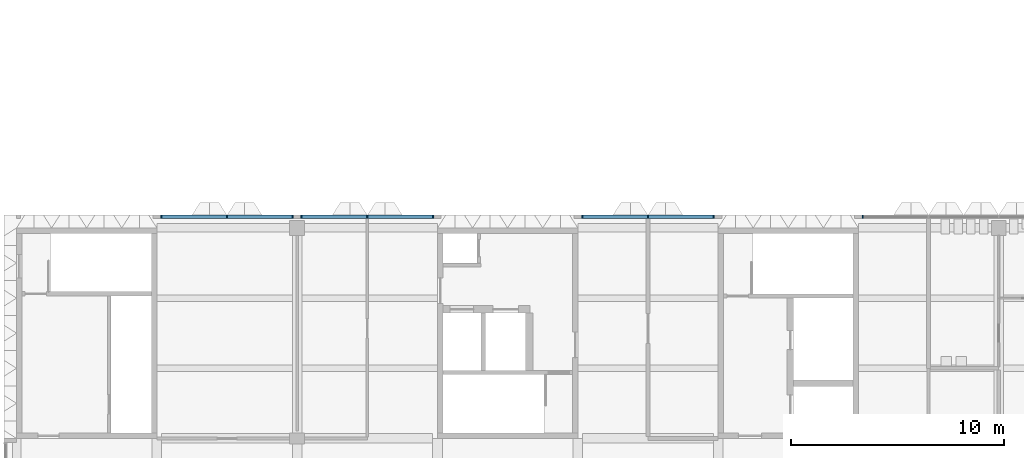
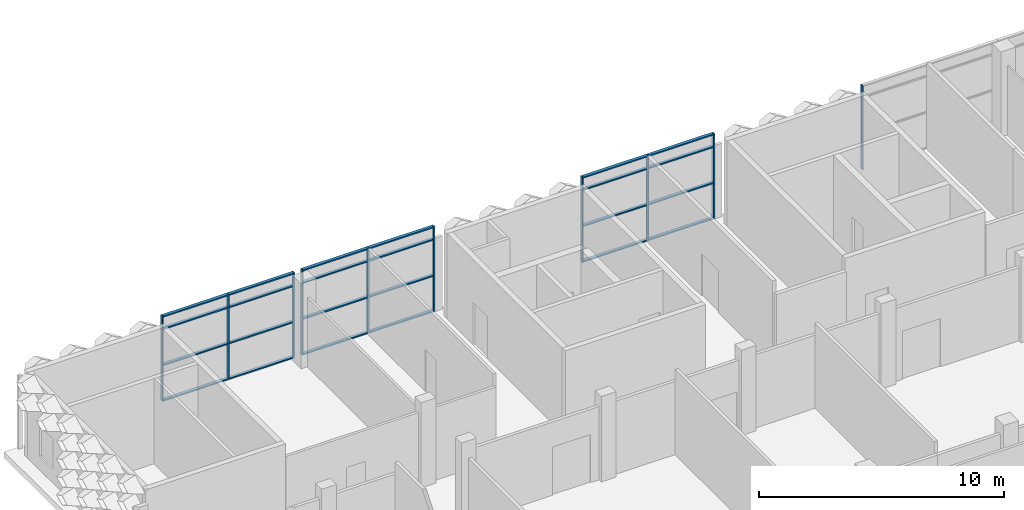
# One storey, part 9 of 61: 34 members, 4 elements without a shape of their own.
"""IFC4 building model written with IfcOpenShell, lengths in metres."""

from ifc_helpers import new_model, si_unit, direction, frame, origin, origin_2d, place, context, subcontext, project, spatial, rectangle, extrude, material, material_profile, profile_set, type_object, element, aggregate, save


model = new_model("IFC4")

# Units and contexts
model_context = context("Model", 3, precision=1e-05, world=origin(), true_north=direction((0.0, 1.0)))
body_context = subcontext(model_context, "Body", "Model", "MODEL_VIEW")
ifc_project = project(units=[si_unit("LENGTHUNIT", "METRE"), si_unit("AREAUNIT", "SQUARE_METRE"), si_unit("VOLUMEUNIT", "CUBIC_METRE"), si_unit("PLANEANGLEUNIT", "RADIAN"), si_unit("MASSUNIT", "GRAM", prefix="KILO")], contexts=[model_context])

# Site, building, storey
site_placement = place(None, origin())
site = spatial("IfcSite", under=ifc_project, at=site_placement, CompositionType="ELEMENT")
building_placement = place(site_placement, origin())
building = spatial("IfcBuilding", under=site, at=building_placement, Name="Lantern Court Research Institute", CompositionType="ELEMENT")
storey_placement = place(building_placement, frame((0.0, 0.0, 23.39990234375)))
storey = spatial("IfcBuildingStorey", under=building, at=storey_placement, Name="L05", CompositionType="ELEMENT", Elevation=23.39990234375)

# Curtain wall, members
ifc_material_1 = material(Name="Aluminium alloy 6063-T6", Category="aluminium")
curtain_wall_type_1 = type_object("IfcCurtainWallType", Name="Curtain wall 6250 x 4250 x 150 aluminium frame", PredefinedType="NOTDEFINED", material=ifc_material_1)
curtain_wall_1_placement = place(storey_placement, origin())
curtain_wall_1 = element("IfcCurtainWall", 1, at=curtain_wall_1_placement, inside=storey, type_object=curtain_wall_type_1, Name="Curtain wall CW068", PredefinedType="NOTDEFINED")
ifc_material_2 = material(Name="Aluminium alloy 6063-T6", Category="aluminium")
ifc_material_profile_1 = material_profile(ifc_material_2, rectangle(XDim=0.14990234375, YDim=0.06005859375, at=origin_2d()), Name="Mullion 150 x 60")
ifc_profile_set_1 = profile_set([ifc_material_profile_1], Name="Aluminium alloy 6063-T6")
member_type_1 = type_object("IfcMemberType", Name="Mullion 150 x 60 aluminium", PredefinedType="MULLION", material=ifc_profile_set_1)
member_1_placement = place(storey_placement, frame((6.804931640625, 23.625, 0.0), z_axis=(0.0, 0.0, 1.0), x_axis=(0.0, 1.0, 0.0)))
member_1 = element("IfcMember", 2, at=member_1_placement, type_object=member_type_1, Name="CW068 mullion 1", PredefinedType="MULLION", context=body_context, shape_type="SweptSolid", body=[
    extrude(rectangle(XDim=0.14990234375, YDim=0.06005859375, at=origin_2d()), origin(), (0.0, 0.0, 1.0), 4.25),
])
member_2_placement = place(storey_placement, frame((9.89990234375, 23.625, 0.0), z_axis=(0.0, 0.0, 1.0), x_axis=(0.0, 1.0, 0.0)))
member_2 = element("IfcMember", 3, at=member_2_placement, type_object=member_type_1, Name="CW068 mullion 2", PredefinedType="MULLION", context=body_context, shape_type="SweptSolid", body=[
    extrude(rectangle(XDim=0.14990234375, YDim=0.06005859375, at=origin_2d()), origin(), (0.0, 0.0, 1.0), 4.25),
])
member_3_placement = place(storey_placement, frame((12.9951171875, 23.625, 0.0), z_axis=(0.0, 0.0, 1.0), x_axis=(0.0, 1.0, 0.0)))
member_3 = element("IfcMember", 4, at=member_3_placement, type_object=member_type_1, Name="CW068 mullion 3", PredefinedType="MULLION", context=body_context, shape_type="SweptSolid", body=[
    extrude(rectangle(XDim=0.14990234375, YDim=0.06005859375, at=origin_2d()), origin(), (0.0, 0.0, 1.0), 4.25),
])

curtain_wall_2_placement = place(storey_placement, origin())
curtain_wall_2 = element("IfcCurtainWall", 5, at=curtain_wall_2_placement, inside=storey, type_object=curtain_wall_type_1, Name="Curtain wall CW069", PredefinedType="NOTDEFINED")
member_4_placement = place(storey_placement, frame((13.405029296875, 23.625, 0.0), z_axis=(0.0, 0.0, 1.0), x_axis=(0.0, 1.0, 0.0)))
member_4 = element("IfcMember", 6, at=member_4_placement, type_object=member_type_1, Name="CW069 mullion 1", PredefinedType="MULLION", context=body_context, shape_type="SweptSolid", body=[
    extrude(rectangle(XDim=0.14990234375, YDim=0.06005859375, at=origin_2d()), origin(), (0.0, 0.0, 1.0), 4.25),
])
member_5_placement = place(storey_placement, frame((16.5, 23.625, 0.0), z_axis=(0.0, 0.0, 1.0), x_axis=(0.0, 1.0, 0.0)))
member_5 = element("IfcMember", 7, at=member_5_placement, type_object=member_type_1, Name="CW069 mullion 2", PredefinedType="MULLION", context=body_context, shape_type="SweptSolid", body=[
    extrude(rectangle(XDim=0.14990234375, YDim=0.06005859375, at=origin_2d()), origin(), (0.0, 0.0, 1.0), 4.25),
])
member_6_placement = place(storey_placement, frame((19.594970703125, 23.625, 0.0), z_axis=(0.0, 0.0, 1.0), x_axis=(0.0, 1.0, 0.0)))
member_6 = element("IfcMember", 8, at=member_6_placement, type_object=member_type_1, Name="CW069 mullion 3", PredefinedType="MULLION", context=body_context, shape_type="SweptSolid", body=[
    extrude(rectangle(XDim=0.14990234375, YDim=0.06005859375, at=origin_2d()), origin(), (0.0, 0.0, 1.0), 4.25),
])

curtain_wall_3_placement = place(storey_placement, origin())
curtain_wall_3 = element("IfcCurtainWall", 9, at=curtain_wall_3_placement, inside=storey, type_object=curtain_wall_type_1, Name="Curtain wall CW070", PredefinedType="NOTDEFINED")
member_7_placement = place(storey_placement, frame((26.60498046875, 23.625, 0.0), z_axis=(0.0, 0.0, 1.0), x_axis=(0.0, 1.0, 0.0)))
member_7 = element("IfcMember", 10, at=member_7_placement, type_object=member_type_1, Name="CW070 mullion 1", PredefinedType="MULLION", context=body_context, shape_type="SweptSolid", body=[
    extrude(rectangle(XDim=0.14990234375, YDim=0.06005859375, at=origin_2d()), origin(), (0.0, 0.0, 1.0), 4.25),
])
member_8_placement = place(storey_placement, frame((29.699951171875, 23.625, 0.0), z_axis=(0.0, 0.0, 1.0), x_axis=(0.0, 1.0, 0.0)))
member_8 = element("IfcMember", 11, at=member_8_placement, type_object=member_type_1, Name="CW070 mullion 2", PredefinedType="MULLION", context=body_context, shape_type="SweptSolid", body=[
    extrude(rectangle(XDim=0.14990234375, YDim=0.06005859375, at=origin_2d()), origin(), (0.0, 0.0, 1.0), 4.25),
])
member_9_placement = place(storey_placement, frame((32.794921875, 23.625, 0.0), z_axis=(0.0, 0.0, 1.0), x_axis=(0.0, 1.0, 0.0)))
member_9 = element("IfcMember", 12, at=member_9_placement, type_object=member_type_1, Name="CW070 mullion 3", PredefinedType="MULLION", context=body_context, shape_type="SweptSolid", body=[
    extrude(rectangle(XDim=0.14990234375, YDim=0.06005859375, at=origin_2d()), origin(), (0.0, 0.0, 1.0), 4.25),
])

# Curtain wall, member
ifc_material_3 = material(Name="Aluminium alloy 6063-T6", Category="aluminium")
curtain_wall_type_2 = type_object("IfcCurtainWallType", Name="Curtain wall 13025 x 4200 x 150 aluminium frame", PredefinedType="NOTDEFINED", material=ifc_material_3)
curtain_wall_4_placement = place(storey_placement, origin())
curtain_wall_4 = element("IfcCurtainWall", 13, at=curtain_wall_4_placement, inside=storey, type_object=curtain_wall_type_2, Name="Curtain wall CW071", PredefinedType="NOTDEFINED")
member_10_placement = place(storey_placement, frame((39.804931640625, 23.625, 0.0), z_axis=(0.0, 0.0, 1.0), x_axis=(0.0, 1.0, 0.0)))
member_10 = element("IfcMember", 14, at=member_10_placement, type_object=member_type_1, Name="CW071 mullion 1", PredefinedType="MULLION", context=body_context, shape_type="SweptSolid", body=[
    extrude(rectangle(XDim=0.14990234375, YDim=0.06005859375, at=origin_2d()), origin(), (0.0, 0.0, 1.0), 4.2001953125),
])
aggregate(curtain_wall_4, [member_10])

# Member
ifc_material_4 = material(Name="Aluminium alloy 6063-T6", Category="aluminium")
ifc_material_profile_2 = material_profile(ifc_material_4, rectangle(XDim=0.14990234375, YDim=0.06005859375, at=origin_2d()), Name="Transom 150 x 60")
ifc_profile_set_2 = profile_set([ifc_material_profile_2], Name="Aluminium alloy 6063-T6")
member_type_2 = type_object("IfcMemberType", Name="Transom 150 x 60 aluminium", PredefinedType="USERDEFINED", material=ifc_profile_set_2)
member_11_placement = place(storey_placement, frame((6.8349609375, 23.625, 0.030029296875), z_axis=(1.0, 0.0, 0.0), x_axis=(0.0, 1.0, 0.0)))
member_11 = element("IfcMember", 15, at=member_11_placement, type_object=member_type_2, Name="CW068 transom 1.1", ObjectType="TRANSOM", PredefinedType="USERDEFINED", context=body_context, shape_type="SweptSolid", body=[
    extrude(rectangle(XDim=0.14990234375, YDim=0.06005859375, at=origin_2d()), origin(), (0.0, 0.0, 1.0), 3.03515625),
])

member_12_placement = place(storey_placement, frame((6.8349609375, 23.625, 1.800048828125), z_axis=(1.0, 0.0, 0.0), x_axis=(0.0, 1.0, 0.0)))
member_12 = element("IfcMember", 16, at=member_12_placement, type_object=member_type_2, Name="CW068 transom 1.2", ObjectType="TRANSOM", PredefinedType="USERDEFINED", context=body_context, shape_type="SweptSolid", body=[
    extrude(rectangle(XDim=0.14990234375, YDim=0.06005859375, at=origin_2d()), origin(), (0.0, 0.0, 1.0), 3.03515625),
])

member_13_placement = place(storey_placement, frame((6.8349609375, 23.625, 3.60009765625), z_axis=(1.0, 0.0, 0.0), x_axis=(0.0, 1.0, 0.0)))
member_13 = element("IfcMember", 17, at=member_13_placement, type_object=member_type_2, Name="CW068 transom 1.3", ObjectType="TRANSOM", PredefinedType="USERDEFINED", context=body_context, shape_type="SweptSolid", body=[
    extrude(rectangle(XDim=0.14990234375, YDim=0.06005859375, at=origin_2d()), origin(), (0.0, 0.0, 1.0), 3.03515625),
])

member_14_placement = place(storey_placement, frame((6.8349609375, 23.625, 4.22021484375), z_axis=(1.0, 0.0, 0.0), x_axis=(0.0, 1.0, 0.0)))
member_14 = element("IfcMember", 18, at=member_14_placement, type_object=member_type_2, Name="CW068 transom 1.4", ObjectType="TRANSOM", PredefinedType="USERDEFINED", context=body_context, shape_type="SweptSolid", body=[
    extrude(rectangle(XDim=0.14990234375, YDim=0.06005859375, at=origin_2d()), origin(), (0.0, 0.0, 1.0), 3.03515625),
])

member_15_placement = place(storey_placement, frame((9.929931640625, 23.625, 0.030029296875), z_axis=(1.0, 0.0, 0.0), x_axis=(0.0, 1.0, 0.0)))
member_15 = element("IfcMember", 19, at=member_15_placement, type_object=member_type_2, Name="CW068 transom 2.1", ObjectType="TRANSOM", PredefinedType="USERDEFINED", context=body_context, shape_type="SweptSolid", body=[
    extrude(rectangle(XDim=0.14990234375, YDim=0.06005859375, at=origin_2d()), origin(), (0.0, 0.0, 1.0), 3.03515625),
])

member_16_placement = place(storey_placement, frame((9.929931640625, 23.625, 1.800048828125), z_axis=(1.0, 0.0, 0.0), x_axis=(0.0, 1.0, 0.0)))
member_16 = element("IfcMember", 20, at=member_16_placement, type_object=member_type_2, Name="CW068 transom 2.2", ObjectType="TRANSOM", PredefinedType="USERDEFINED", context=body_context, shape_type="SweptSolid", body=[
    extrude(rectangle(XDim=0.14990234375, YDim=0.06005859375, at=origin_2d()), origin(), (0.0, 0.0, 1.0), 3.03515625),
])

member_17_placement = place(storey_placement, frame((9.929931640625, 23.625, 3.60009765625), z_axis=(1.0, 0.0, 0.0), x_axis=(0.0, 1.0, 0.0)))
member_17 = element("IfcMember", 21, at=member_17_placement, type_object=member_type_2, Name="CW068 transom 2.3", ObjectType="TRANSOM", PredefinedType="USERDEFINED", context=body_context, shape_type="SweptSolid", body=[
    extrude(rectangle(XDim=0.14990234375, YDim=0.06005859375, at=origin_2d()), origin(), (0.0, 0.0, 1.0), 3.03515625),
])

member_18_placement = place(storey_placement, frame((9.929931640625, 23.625, 4.22021484375), z_axis=(1.0, 0.0, 0.0), x_axis=(0.0, 1.0, 0.0)))
member_18 = element("IfcMember", 22, at=member_18_placement, type_object=member_type_2, Name="CW068 transom 2.4", ObjectType="TRANSOM", PredefinedType="USERDEFINED", context=body_context, shape_type="SweptSolid", body=[
    extrude(rectangle(XDim=0.14990234375, YDim=0.06005859375, at=origin_2d()), origin(), (0.0, 0.0, 1.0), 3.03515625),
])

aggregate(curtain_wall_1, [member_1, member_2, member_3, member_11, member_12, member_13, member_14, member_15, member_16, member_17, member_18])

member_19_placement = place(storey_placement, frame((13.43505859375, 23.625, 0.030029296875), z_axis=(1.0, 0.0, 0.0), x_axis=(0.0, 1.0, 0.0)))
member_19 = element("IfcMember", 23, at=member_19_placement, type_object=member_type_2, Name="CW069 transom 1.1", ObjectType="TRANSOM", PredefinedType="USERDEFINED", context=body_context, shape_type="SweptSolid", body=[
    extrude(rectangle(XDim=0.14990234375, YDim=0.06005859375, at=origin_2d()), origin(), (0.0, 0.0, 1.0), 3.034912109375),
])

member_20_placement = place(storey_placement, frame((13.43505859375, 23.625, 1.800048828125), z_axis=(1.0, 0.0, 0.0), x_axis=(0.0, 1.0, 0.0)))
member_20 = element("IfcMember", 24, at=member_20_placement, type_object=member_type_2, Name="CW069 transom 1.2", ObjectType="TRANSOM", PredefinedType="USERDEFINED", context=body_context, shape_type="SweptSolid", body=[
    extrude(rectangle(XDim=0.14990234375, YDim=0.06005859375, at=origin_2d()), origin(), (0.0, 0.0, 1.0), 3.034912109375),
])

member_21_placement = place(storey_placement, frame((13.43505859375, 23.625, 3.60009765625), z_axis=(1.0, 0.0, 0.0), x_axis=(0.0, 1.0, 0.0)))
member_21 = element("IfcMember", 25, at=member_21_placement, type_object=member_type_2, Name="CW069 transom 1.3", ObjectType="TRANSOM", PredefinedType="USERDEFINED", context=body_context, shape_type="SweptSolid", body=[
    extrude(rectangle(XDim=0.14990234375, YDim=0.06005859375, at=origin_2d()), origin(), (0.0, 0.0, 1.0), 3.034912109375),
])

member_22_placement = place(storey_placement, frame((13.43505859375, 23.625, 4.22021484375), z_axis=(1.0, 0.0, 0.0), x_axis=(0.0, 1.0, 0.0)))
member_22 = element("IfcMember", 26, at=member_22_placement, type_object=member_type_2, Name="CW069 transom 1.4", ObjectType="TRANSOM", PredefinedType="USERDEFINED", context=body_context, shape_type="SweptSolid", body=[
    extrude(rectangle(XDim=0.14990234375, YDim=0.06005859375, at=origin_2d()), origin(), (0.0, 0.0, 1.0), 3.034912109375),
])

member_23_placement = place(storey_placement, frame((16.530029296875, 23.625, 0.030029296875), z_axis=(1.0, 0.0, 0.0), x_axis=(0.0, 1.0, 0.0)))
member_23 = element("IfcMember", 27, at=member_23_placement, type_object=member_type_2, Name="CW069 transom 2.1", ObjectType="TRANSOM", PredefinedType="USERDEFINED", context=body_context, shape_type="SweptSolid", body=[
    extrude(rectangle(XDim=0.14990234375, YDim=0.06005859375, at=origin_2d()), origin(), (0.0, 0.0, 1.0), 3.034912109375),
])

member_24_placement = place(storey_placement, frame((16.530029296875, 23.625, 1.800048828125), z_axis=(1.0, 0.0, 0.0), x_axis=(0.0, 1.0, 0.0)))
member_24 = element("IfcMember", 28, at=member_24_placement, type_object=member_type_2, Name="CW069 transom 2.2", ObjectType="TRANSOM", PredefinedType="USERDEFINED", context=body_context, shape_type="SweptSolid", body=[
    extrude(rectangle(XDim=0.14990234375, YDim=0.06005859375, at=origin_2d()), origin(), (0.0, 0.0, 1.0), 3.034912109375),
])

member_25_placement = place(storey_placement, frame((16.530029296875, 23.625, 3.60009765625), z_axis=(1.0, 0.0, 0.0), x_axis=(0.0, 1.0, 0.0)))
member_25 = element("IfcMember", 29, at=member_25_placement, type_object=member_type_2, Name="CW069 transom 2.3", ObjectType="TRANSOM", PredefinedType="USERDEFINED", context=body_context, shape_type="SweptSolid", body=[
    extrude(rectangle(XDim=0.14990234375, YDim=0.06005859375, at=origin_2d()), origin(), (0.0, 0.0, 1.0), 3.034912109375),
])

member_26_placement = place(storey_placement, frame((16.530029296875, 23.625, 4.22021484375), z_axis=(1.0, 0.0, 0.0), x_axis=(0.0, 1.0, 0.0)))
member_26 = element("IfcMember", 30, at=member_26_placement, type_object=member_type_2, Name="CW069 transom 2.4", ObjectType="TRANSOM", PredefinedType="USERDEFINED", context=body_context, shape_type="SweptSolid", body=[
    extrude(rectangle(XDim=0.14990234375, YDim=0.06005859375, at=origin_2d()), origin(), (0.0, 0.0, 1.0), 3.034912109375),
])

aggregate(curtain_wall_2, [member_4, member_5, member_6, member_19, member_20, member_21, member_22, member_23, member_24, member_25, member_26])

member_27_placement = place(storey_placement, frame((26.635009765625, 23.625, 0.030029296875), z_axis=(1.0, 0.0, 0.0), x_axis=(0.0, 1.0, 0.0)))
member_27 = element("IfcMember", 31, at=member_27_placement, type_object=member_type_2, Name="CW070 transom 1.1", ObjectType="TRANSOM", PredefinedType="USERDEFINED", context=body_context, shape_type="SweptSolid", body=[
    extrude(rectangle(XDim=0.14990234375, YDim=0.06005859375, at=origin_2d()), origin(), (0.0, 0.0, 1.0), 3.034912109375),
])

member_28_placement = place(storey_placement, frame((26.635009765625, 23.625, 1.800048828125), z_axis=(1.0, 0.0, 0.0), x_axis=(0.0, 1.0, 0.0)))
member_28 = element("IfcMember", 32, at=member_28_placement, type_object=member_type_2, Name="CW070 transom 1.2", ObjectType="TRANSOM", PredefinedType="USERDEFINED", context=body_context, shape_type="SweptSolid", body=[
    extrude(rectangle(XDim=0.14990234375, YDim=0.06005859375, at=origin_2d()), origin(), (0.0, 0.0, 1.0), 3.034912109375),
])

member_29_placement = place(storey_placement, frame((26.635009765625, 23.625, 3.60009765625), z_axis=(1.0, 0.0, 0.0), x_axis=(0.0, 1.0, 0.0)))
member_29 = element("IfcMember", 33, at=member_29_placement, type_object=member_type_2, Name="CW070 transom 1.3", ObjectType="TRANSOM", PredefinedType="USERDEFINED", context=body_context, shape_type="SweptSolid", body=[
    extrude(rectangle(XDim=0.14990234375, YDim=0.06005859375, at=origin_2d()), origin(), (0.0, 0.0, 1.0), 3.034912109375),
])

member_30_placement = place(storey_placement, frame((26.635009765625, 23.625, 4.22021484375), z_axis=(1.0, 0.0, 0.0), x_axis=(0.0, 1.0, 0.0)))
member_30 = element("IfcMember", 34, at=member_30_placement, type_object=member_type_2, Name="CW070 transom 1.4", ObjectType="TRANSOM", PredefinedType="USERDEFINED", context=body_context, shape_type="SweptSolid", body=[
    extrude(rectangle(XDim=0.14990234375, YDim=0.06005859375, at=origin_2d()), origin(), (0.0, 0.0, 1.0), 3.034912109375),
])

member_31_placement = place(storey_placement, frame((29.72998046875, 23.625, 0.030029296875), z_axis=(1.0, 0.0, 0.0), x_axis=(0.0, 1.0, 0.0)))
member_31 = element("IfcMember", 35, at=member_31_placement, type_object=member_type_2, Name="CW070 transom 2.1", ObjectType="TRANSOM", PredefinedType="USERDEFINED", context=body_context, shape_type="SweptSolid", body=[
    extrude(rectangle(XDim=0.14990234375, YDim=0.06005859375, at=origin_2d()), origin(), (0.0, 0.0, 1.0), 3.034912109375),
])

member_32_placement = place(storey_placement, frame((29.72998046875, 23.625, 1.800048828125), z_axis=(1.0, 0.0, 0.0), x_axis=(0.0, 1.0, 0.0)))
member_32 = element("IfcMember", 36, at=member_32_placement, type_object=member_type_2, Name="CW070 transom 2.2", ObjectType="TRANSOM", PredefinedType="USERDEFINED", context=body_context, shape_type="SweptSolid", body=[
    extrude(rectangle(XDim=0.14990234375, YDim=0.06005859375, at=origin_2d()), origin(), (0.0, 0.0, 1.0), 3.034912109375),
])

member_33_placement = place(storey_placement, frame((29.72998046875, 23.625, 3.60009765625), z_axis=(1.0, 0.0, 0.0), x_axis=(0.0, 1.0, 0.0)))
member_33 = element("IfcMember", 37, at=member_33_placement, type_object=member_type_2, Name="CW070 transom 2.3", ObjectType="TRANSOM", PredefinedType="USERDEFINED", context=body_context, shape_type="SweptSolid", body=[
    extrude(rectangle(XDim=0.14990234375, YDim=0.06005859375, at=origin_2d()), origin(), (0.0, 0.0, 1.0), 3.034912109375),
])

member_34_placement = place(storey_placement, frame((29.72998046875, 23.625, 4.22021484375), z_axis=(1.0, 0.0, 0.0), x_axis=(0.0, 1.0, 0.0)))
member_34 = element("IfcMember", 38, at=member_34_placement, type_object=member_type_2, Name="CW070 transom 2.4", ObjectType="TRANSOM", PredefinedType="USERDEFINED", context=body_context, shape_type="SweptSolid", body=[
    extrude(rectangle(XDim=0.14990234375, YDim=0.06005859375, at=origin_2d()), origin(), (0.0, 0.0, 1.0), 3.034912109375),
])

aggregate(curtain_wall_3, [member_7, member_8, member_9, member_27, member_28, member_29, member_30, member_31, member_32, member_33, member_34])

save(model, "model.ifc")
